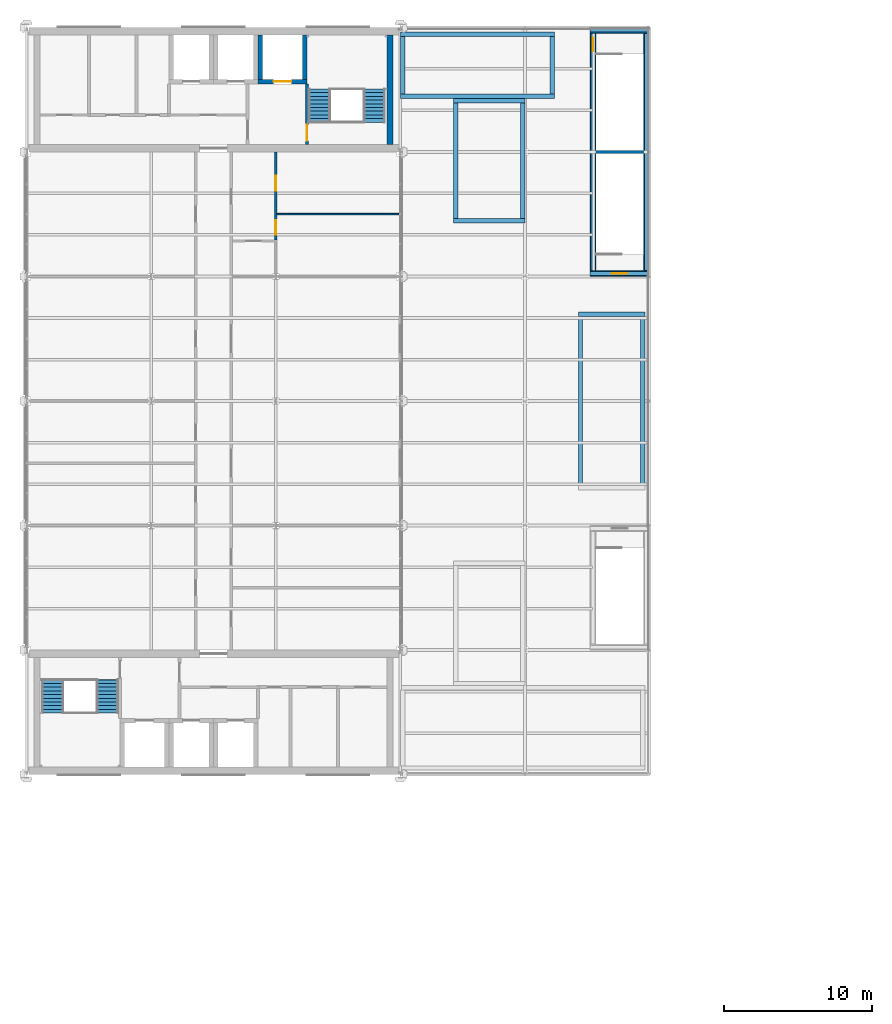
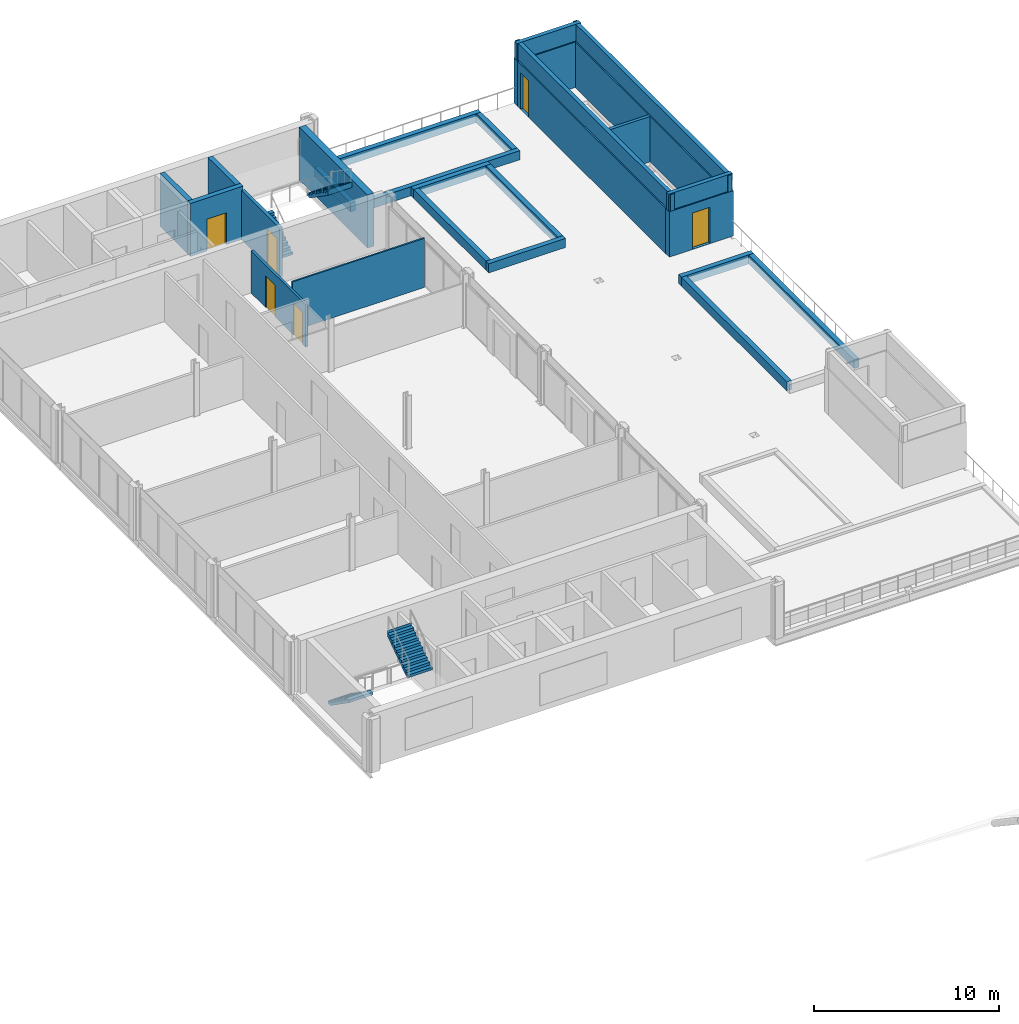
# One storey, part 26 of 32: 27 walls, 6 doors, 4 stair flights, 6 openings, 2 elements without a shape of their own.
"""IFC4 building model written with IfcOpenShell, lengths in metres."""

from ifc_helpers import new_model, si_unit, direction, frame, frame_2d, origin, place, context, subcontext, project, spatial, polyline, rectangle, outline, extrude, material, layer, layer_set, type_object, element, fill, aggregate, save


model = new_model("IFC4")

# Units and contexts
model_context = context("Model", 3, precision=1e-05, world=origin(), true_north=direction((0.0, 1.0)))
body_context = subcontext(model_context, "Body", "Model", "MODEL_VIEW")
ifc_project = project(units=[si_unit("LENGTHUNIT", "METRE"), si_unit("AREAUNIT", "SQUARE_METRE"), si_unit("VOLUMEUNIT", "CUBIC_METRE"), si_unit("PLANEANGLEUNIT", "RADIAN"), si_unit("MASSUNIT", "GRAM", prefix="KILO")], contexts=[model_context])

# Site, building, storey
site_placement = place(None, origin())
site = spatial("IfcSite", under=ifc_project, at=site_placement, CompositionType="ELEMENT")
building_placement = place(site_placement, origin())
building = spatial("IfcBuilding", under=site, at=building_placement, Name="Catenary Quay Ferry Terminal", CompositionType="ELEMENT")
storey_placement = place(building_placement, frame((0.0, 0.0, 17.10009765625)))
storey = spatial("IfcBuildingStorey", under=building, at=storey_placement, Name="L03", CompositionType="ELEMENT", Elevation=17.10009765625)

# Walls
ifc_material_1 = material(Name="Concrete C50/60", Category="concrete")
ifc_layer_1 = layer(ifc_material_1, 0.39990234375)
ifc_layer_set_1 = layer_set([ifc_layer_1], Name="Core wall 400")
wall_type_1 = type_object("IfcWallType", Name="Core wall 400", PredefinedType="SHEAR", material=ifc_layer_set_1)
wall_1_placement = place(storey_placement, frame((49.699951171875, 202.10009765625, 0.0), z_axis=(0.0, 0.0, 1.0), x_axis=(0.0, 1.0, 0.0)))
element("IfcWall", 1, at=wall_1_placement, inside=storey, type_object=wall_type_1, Name="Core wall N4", PredefinedType="SHEAR", context=body_context, shape_type="SweptSolid", body=[
    extrude(rectangle(XDim=7.39990234375, YDim=0.39990234375, at=frame_2d((3.699951171875, 0.0))), origin(), (0.0, 0.0, 1.0), 3.5),
])
ifc_material_2 = material(Name="Masonry and insulation", Category="masonry")
ifc_layer_2 = layer(ifc_material_2, 0.300048828125)
ifc_layer_set_2 = layer_set([ifc_layer_2], Name="EW15")
wall_type_2 = type_object("IfcWallType", Name="EW15", PredefinedType="SOLIDWALL", material=ifc_layer_set_2)
for number, where, z_axis, x_axis, name in (
    (2, (50.39990234375, 205.35009765625, 0.0), (0.0, 0.0, 1.0), (1.0, 0.0, 0.0), "Planter terrace wall WL144"),
    (3, (50.39990234375, 209.550048828125, 0.0), (0.0, 0.0, 1.0), (1.0, 0.0, 0.0), "Planter terrace wall WL145"),
):
    element("IfcWall", number, at=place(storey_placement, frame(where, z_axis=z_axis, x_axis=x_axis)), inside=storey, type_object=wall_type_2, Name=name, PredefinedType="SOLIDWALL", context=body_context, shape_type="SweptSolid", body=[
        extrude(rectangle(XDim=10.400146484375, YDim=0.300048828125, at=frame_2d((5.2001953125, 0.0))), origin(), (0.0, 0.0, 1.0), 0.599853515625),
    ])
for number, where, z_axis, x_axis, name in (
    (4, (50.550048828125, 205.5, 0.0), (0.0, 0.0, 1.0), (0.0, 1.0, 0.0), "Planter terrace wall WL146"),
    (5, (60.64990234375, 205.5, 0.0), (0.0, 0.0, 1.0), (0.0, 1.0, 0.0), "Planter terrace wall WL147"),
):
    element("IfcWall", number, at=place(storey_placement, frame(where, z_axis=z_axis, x_axis=x_axis)), inside=storey, type_object=wall_type_2, Name=name, PredefinedType="SOLIDWALL", context=body_context, shape_type="SweptSolid", body=[
        extrude(rectangle(XDim=3.89990234375, YDim=0.300048828125, at=frame_2d((1.949951171875, 0.0))), origin(), (0.0, 0.0, 1.0), 0.599853515625),
    ])
for number, where, z_axis, x_axis, name in (
    (6, (54.0, 196.949951171875, 0.0), (0.0, 0.0, 1.0), (1.0, 0.0, 0.0), "Planter terrace wall WL148"),
    (7, (54.0, 205.050048828125, 0.0), (0.0, 0.0, 1.0), (1.0, 0.0, 0.0), "Planter terrace wall WL149"),
):
    element("IfcWall", number, at=place(storey_placement, frame(where, z_axis=z_axis, x_axis=x_axis)), inside=storey, type_object=wall_type_2, Name=name, PredefinedType="SOLIDWALL", context=body_context, shape_type="SweptSolid", body=[
        extrude(rectangle(XDim=4.800048828125, YDim=0.300048828125, at=frame_2d((2.39990234375, 0.0))), origin(), (0.0, 0.0, 1.0), 0.599853515625),
    ])
for number, where, z_axis, x_axis, name in (
    (8, (54.14990234375, 197.10009765625, 0.0), (0.0, 0.0, 1.0), (0.0, 1.0, 0.0), "Planter terrace wall WL150"),
    (9, (58.64990234375, 197.10009765625, 0.0), (0.0, 0.0, 1.0), (0.0, 1.0, 0.0), "Planter terrace wall WL151"),
):
    element("IfcWall", number, at=place(storey_placement, frame(where, z_axis=z_axis, x_axis=x_axis)), inside=storey, type_object=wall_type_2, Name=name, PredefinedType="SOLIDWALL", context=body_context, shape_type="SweptSolid", body=[
        extrude(rectangle(XDim=7.7998046875, YDim=0.300048828125, at=frame_2d((3.89990234375, 0.0))), origin(), (0.0, 0.0, 1.0), 0.599853515625),
    ])
wall_2_placement = place(storey_placement, frame((62.39990234375, 190.64990234375, 0.0), z_axis=(0.0, 0.0, 1.0), x_axis=(1.0, 0.0, 0.0)))
element("IfcWall", 10, at=wall_2_placement, inside=storey, type_object=wall_type_2, Name="Planter terrace wall WL153", PredefinedType="SOLIDWALL", context=body_context, shape_type="SweptSolid", body=[
    extrude(rectangle(XDim=4.5, YDim=0.300048828125, at=frame_2d((2.25, 0.0))), origin(), (0.0, 0.0, 1.0), 0.599853515625),
])
for number, where, z_axis, x_axis, name in (
    (11, (62.550048828125, 179.10009765625, 0.0), (0.0, 0.0, 1.0), (0.0, 1.0, 0.0), "Planter terrace wall WL154"),
    (12, (66.75, 179.10009765625, 0.0), (0.0, 0.0, 1.0), (0.0, 1.0, 0.0), "Planter terrace wall WL155"),
):
    element("IfcWall", number, at=place(storey_placement, frame(where, z_axis=z_axis, x_axis=x_axis)), inside=storey, type_object=wall_type_2, Name=name, PredefinedType="SOLIDWALL", context=body_context, shape_type="SweptSolid", body=[
        extrude(rectangle(XDim=11.39990234375, YDim=0.300048828125, at=frame_2d((5.699951171875, 0.0))), origin(), (0.0, 0.0, 1.0), 0.599853515625),
    ])
ifc_material_3 = material(Name="Masonry and insulation", Category="masonry")
ifc_layer_3 = layer(ifc_material_3, 0.39990234375)
ifc_layer_set_3 = layer_set([ifc_layer_3], Name="EW2")
wall_type_3 = type_object("IfcWallType", Name="EW2", PredefinedType="SOLIDWALL", material=ifc_layer_set_3)
wall_3_placement = place(storey_placement, frame((63.199951171875, 209.800048828125, 0.0), z_axis=(0.0, 0.0, 1.0), x_axis=(1.0, 0.0, 0.0)))
element("IfcWall", 13, at=wall_3_placement, inside=storey, type_object=wall_type_3, Name="P40 wall WL195", PredefinedType="SOLIDWALL", context=body_context, shape_type="SweptSolid", body=[
    extrude(rectangle(XDim=4.0, YDim=0.39990234375, at=frame_2d((2.0, 0.0))), origin(), (0.0, 0.0, 1.0), 3.0),
])

# Wall, opening, door
wall_4_placement = place(storey_placement, frame((63.199951171875, 193.39990234375, 0.0), z_axis=(0.0, 0.0, 1.0), x_axis=(1.0, 0.0, 0.0)))
wall_4 = element("IfcWall", 14, at=wall_4_placement, inside=storey, type_object=wall_type_3, Name="P41 wall WL196", PredefinedType="SOLIDWALL", context=body_context, shape_type="SweptSolid", body=[
    extrude(rectangle(XDim=4.0, YDim=0.39990234375, at=frame_2d((2.0, 0.0))), origin(), (0.0, 0.0, 1.0), 3.0),
])
opening_1_placement = place(wall_4_placement, frame((1.449951171875, 0.0, 0.011962890625)))
opening_1 = element("IfcOpeningElement", 15, at=opening_1_placement, cuts=wall_4, Name="Opening D32", PredefinedType="OPENING", context=body_context, shape_type="SweptSolid", body=[
    extrude(rectangle(XDim=1.10009765625, YDim=2.39990234375, at=frame_2d((0.550048828125, 1.199951171875))), frame((0.0, 0.2099609375, 0.0), z_axis=(0.0, -1.0, 0.0), x_axis=(1.0, 0.0, 0.0)), (0.0, 0.0, 1.0), 0.419921875),
])
ifc_material_4 = material(Name="Steel", Category="steel")
door_type_1 = type_object("IfcDoorType", Name="DXE1100", OperationType="SINGLE_SWING_LEFT", PredefinedType="DOOR", material=ifc_material_4)
door_1_placement = place(opening_1_placement, frame((1.10009765625, 0.0, 0.0), z_axis=(0.0, 0.0, 1.0), x_axis=(-1.0, 0.0, 0.0)))
door_1 = element("IfcDoor", 16, at=door_1_placement, inside=storey, type_object=door_type_1, Name="HS4 door D32", OperationType="SINGLE_SWING_RIGHT", OverallHeight=2.39990234375, OverallWidth=1.10009765625, PredefinedType="DOOR", context=body_context, shape_type="SweptSolid", body=[
    extrude(rectangle(XDim=1.10009765625, YDim=2.39990234375, at=frame_2d((0.550048828125, 1.199951171875))), frame((0.0, 0.02490234375, 0.0), z_axis=(0.0, -1.0, 0.0), x_axis=(1.0, 0.0, 0.0)), (0.0, 0.0, 1.0), 0.050048828125),
])
fill(opening_1, door_1)

wall_5_placement = place(storey_placement, frame((63.39990234375, 193.60009765625, 0.0), z_axis=(0.0, 0.0, 1.0), x_axis=(0.0, 1.0, 0.0)))
wall_5 = element("IfcWall", 17, at=wall_5_placement, inside=storey, type_object=wall_type_3, Name="P44 wall WL199", PredefinedType="SOLIDWALL", context=body_context, shape_type="SweptSolid", body=[
    extrude(rectangle(XDim=16.0, YDim=0.39990234375, at=frame_2d((8.0, 0.0))), origin(), (0.0, 0.0, 1.0), 3.0),
])
opening_2_placement = place(wall_5_placement, frame((14.800048828125, 0.0, 0.011962890625)))
opening_2 = element("IfcOpeningElement", 18, at=opening_2_placement, cuts=wall_5, Name="Opening D33", PredefinedType="OPENING", context=body_context, shape_type="SweptSolid", body=[
    extrude(rectangle(XDim=0.89990234375, YDim=2.39990234375, at=frame_2d((0.449951171875, 1.199951171875))), frame((0.0, 0.2099609375, 0.0), z_axis=(0.0, -1.0, 0.0), x_axis=(1.0, 0.0, 0.0)), (0.0, 0.0, 1.0), 0.419921875),
])
ifc_material_5 = material(Name="Steel", Category="steel")
door_type_2 = type_object("IfcDoorType", Name="DXE900", OperationType="SINGLE_SWING_LEFT", PredefinedType="DOOR", material=ifc_material_5)
door_2_placement = place(opening_2_placement, origin())
door_2 = element("IfcDoor", 19, at=door_2_placement, inside=storey, type_object=door_type_2, Name="HS5 door D33", OperationType="SINGLE_SWING_LEFT", OverallHeight=2.39990234375, OverallWidth=0.89990234375, PredefinedType="DOOR", context=body_context, shape_type="SweptSolid", body=[
    extrude(rectangle(XDim=0.89990234375, YDim=2.39990234375, at=frame_2d((0.449951171875, 1.199951171875))), frame((0.0, 0.02490234375, 0.0), z_axis=(0.0, -1.0, 0.0), x_axis=(1.0, 0.0, 0.0)), (0.0, 0.0, 1.0), 0.050048828125),
])
fill(opening_2, door_2)

# Walls
wall_6_placement = place(storey_placement, frame((67.0, 193.60009765625, 0.0), z_axis=(0.0, 0.0, 1.0), x_axis=(0.0, 1.0, 0.0)))
element("IfcWall", 20, at=wall_6_placement, inside=storey, type_object=wall_type_3, Name="P45 wall WL200", PredefinedType="SOLIDWALL", context=body_context, shape_type="SweptSolid", body=[
    extrude(rectangle(XDim=16.0, YDim=0.39990234375, at=frame_2d((8.0, 0.0))), origin(), (0.0, 0.0, 1.0), 3.0),
])
ifc_material_6 = material(Name="Masonry and insulation", Category="masonry")
ifc_layer_4 = layer(ifc_material_6, 0.25)
ifc_layer_set_4 = layer_set([ifc_layer_4], Name="EW5")
wall_type_4 = type_object("IfcWallType", Name="EW5", PredefinedType="PARAPET", material=ifc_layer_set_4)
for number, where, z_axis, x_axis, name in (
    (21, (63.199951171875, 209.800048828125, 3.0), (0.0, 0.0, 1.0), (1.0, 0.0, 0.0), "Parapet wall WL218"),
    (22, (63.199951171875, 193.39990234375, 3.0), (0.0, 0.0, 1.0), (1.0, 0.0, 0.0), "Parapet wall WL219"),
):
    element("IfcWall", number, at=place(storey_placement, frame(where, z_axis=z_axis, x_axis=x_axis)), inside=storey, type_object=wall_type_4, Name=name, PredefinedType="PARAPET", context=body_context, shape_type="SweptSolid", body=[
        extrude(rectangle(XDim=4.0, YDim=0.25, at=frame_2d((2.0, 0.0))), origin(), (0.0, 0.0, 1.0), 1.099853515625),
    ])
for number, where, z_axis, x_axis, name in (
    (23, (67.0, 193.199951171875, 3.0), (0.0, 0.0, 1.0), (0.0, 1.0, 0.0), "Parapet wall WL222"),
    (24, (63.39990234375, 193.199951171875, 3.0), (0.0, 0.0, 1.0), (0.0, 1.0, 0.0), "Parapet wall WL223"),
):
    element("IfcWall", number, at=place(storey_placement, frame(where, z_axis=z_axis, x_axis=x_axis)), inside=storey, type_object=wall_type_4, Name=name, PredefinedType="PARAPET", context=body_context, shape_type="SweptSolid", body=[
        extrude(rectangle(XDim=16.800048828125, YDim=0.25, at=frame_2d((8.39990234375, 0.0))), origin(), (0.0, 0.0, 1.0), 1.099853515625),
    ])
ifc_material_7 = material(Name="Concrete C35/45", Category="concrete")
ifc_layer_5 = layer(ifc_material_7, 0.199951171875)
ifc_layer_set_5 = layer_set([ifc_layer_5], Name="IP12")
wall_type_5 = type_object("IfcWallType", Name="IP12", PredefinedType="PARTITIONING", material=ifc_layer_set_5)
wall_7_placement = place(storey_placement, frame((63.60009765625, 201.60009765625, 0.0), z_axis=(0.0, 0.0, 1.0), x_axis=(1.0, 0.0, 0.0)))
element("IfcWall", 25, at=wall_7_placement, inside=storey, type_object=wall_type_5, Name="Stair wall L03 18", PredefinedType="PARTITIONING", context=body_context, shape_type="SweptSolid", body=[
    extrude(rectangle(XDim=3.199951171875, YDim=0.199951171875, at=frame_2d((1.60009765625, 0.0))), origin(), (0.0, 0.0, 1.0), 3.0),
])

# Wall, openings, doors
ifc_material_8 = material(Name="Plasterboard on steel studs", Category="steel")
ifc_layer_6 = layer(ifc_material_8, 0.14990234375)
ifc_layer_set_6 = layer_set([ifc_layer_6], Name="IP3")
wall_type_6 = type_object("IfcWallType", Name="IP3", PredefinedType="PARTITIONING", material=ifc_layer_set_6)
wall_8_placement = place(storey_placement, frame((42.0, 195.675048828125, 0.0), z_axis=(0.0, 0.0, 1.0), x_axis=(0.0, 1.0, 0.0)))
wall_8 = element("IfcWall", 26, at=wall_8_placement, inside=storey, type_object=wall_type_6, Name="Partition L03 32", PredefinedType="PARTITIONING", context=body_context, shape_type="SweptSolid", body=[
    extrude(rectangle(XDim=5.925048828125, YDim=0.14990234375, at=frame_2d((2.96240234375, 0.0))), origin(), (0.0, 0.0, 1.0), 2.796142578125),
])
opening_3_placement = place(wall_8_placement, frame((0.324951171875, 0.0, 0.0)))
opening_3 = element("IfcOpeningElement", 27, at=opening_3_placement, cuts=wall_8, Name="Opening D214", PredefinedType="OPENING", context=body_context, shape_type="SweptSolid", body=[
    extrude(rectangle(XDim=1.0, YDim=2.10009765625, at=frame_2d((0.5, 1.050048828125))), frame((0.0, 0.0849609375, 0.0), z_axis=(0.0, -1.0, 0.0), x_axis=(1.0, 0.0, 0.0)), (0.0, 0.0, 1.0), 0.169921875),
])
opening_4_placement = place(wall_8_placement, frame((3.324951171875, 0.0, 0.0)))
opening_4 = element("IfcOpeningElement", 28, at=opening_4_placement, cuts=wall_8, Name="Opening D215", PredefinedType="OPENING", context=body_context, shape_type="SweptSolid", body=[
    extrude(rectangle(XDim=1.0, YDim=2.10009765625, at=frame_2d((0.5, 1.050048828125))), frame((0.0, 0.0849609375, 0.0), z_axis=(0.0, -1.0, 0.0), x_axis=(1.0, 0.0, 0.0)), (0.0, 0.0, 1.0), 0.169921875),
])
ifc_material_9 = material(Name="Timber", Category="wood")
door_type_3 = type_object("IfcDoorType", Name="DI8", OperationType="SINGLE_SWING_LEFT", PredefinedType="DOOR", material=ifc_material_9)
door_3_placement = place(opening_3_placement, frame((1.0, 0.0, 0.0), z_axis=(0.0, 0.0, 1.0), x_axis=(-1.0, 0.0, 0.0)))
door_3 = element("IfcDoor", 29, at=door_3_placement, inside=storey, type_object=door_type_3, Name="Staff Women WC L03 to Staff WC Lobby L03", OperationType="SINGLE_SWING_RIGHT", OverallHeight=2.10009765625, OverallWidth=1.0, PredefinedType="DOOR", context=body_context, shape_type="SweptSolid", body=[
    extrude(rectangle(XDim=1.0, YDim=2.10009765625, at=frame_2d((0.5, 1.050048828125))), frame((0.0, 0.02490234375, 0.0), z_axis=(0.0, -1.0, 0.0), x_axis=(1.0, 0.0, 0.0)), (0.0, 0.0, 1.0), 0.050048828125),
])
fill(opening_3, door_3)
door_4_placement = place(opening_4_placement, frame((1.0, 0.0, 0.0), z_axis=(0.0, 0.0, 1.0), x_axis=(-1.0, 0.0, 0.0)))
door_4 = element("IfcDoor", 30, at=door_4_placement, inside=storey, type_object=door_type_3, Name="Staff Men WC L03 to Staff WC Lobby L03", OperationType="SINGLE_SWING_RIGHT", OverallHeight=2.10009765625, OverallWidth=1.0, PredefinedType="DOOR", context=body_context, shape_type="SweptSolid", body=[
    extrude(rectangle(XDim=1.0, YDim=2.10009765625, at=frame_2d((0.5, 1.050048828125))), frame((0.0, 0.02490234375, 0.0), z_axis=(0.0, -1.0, 0.0), x_axis=(1.0, 0.0, 0.0)), (0.0, 0.0, 1.0), 0.050048828125),
])
fill(opening_4, door_4)

# Wall, opening, door
ifc_material_10 = material(Name="Blockwork and plaster", Category="masonry")
ifc_layer_7 = layer(ifc_material_10, 0.199951171875)
ifc_layer_set_7 = layer_set([ifc_layer_7], Name="IP4")
wall_type_7 = type_object("IfcWallType", Name="IP4", PredefinedType="PARTITIONING", material=ifc_layer_set_7)
wall_9_placement = place(storey_placement, frame((44.10009765625, 202.10009765625, 0.0), z_axis=(0.0, 0.0, 1.0), x_axis=(0.0, 1.0, 0.0)))
wall_9 = element("IfcWall", 31, at=wall_9_placement, inside=storey, type_object=wall_type_7, Name="Partition L03 34", PredefinedType="PARTITIONING", context=body_context, shape_type="SweptSolid", body=[
    extrude(rectangle(XDim=4.099853515625, YDim=0.199951171875, at=frame_2d((2.0498046875, 0.0))), origin(), (0.0, 0.0, 1.0), 3.25),
])
opening_5_placement = place(wall_9_placement, frame((0.25, 0.0, 0.0)))
opening_5 = element("IfcOpeningElement", 32, at=opening_5_placement, cuts=wall_9, Name="Opening D201", PredefinedType="OPENING", context=body_context, shape_type="SweptSolid", body=[
    extrude(rectangle(XDim=1.10009765625, YDim=2.39990234375, at=frame_2d((0.550048828125, 1.199951171875))), frame((0.0, 0.10986328125, 0.0), z_axis=(0.0, -1.0, 0.0), x_axis=(1.0, 0.0, 0.0)), (0.0, 0.0, 1.0), 0.219970703125),
])
ifc_material_11 = material(Name="Steel", Category="steel")
door_type_4 = type_object("IfcDoorType", Name="DI4", OperationType="SINGLE_SWING_LEFT", PredefinedType="DOOR", material=ifc_material_11)
door_5_placement = place(opening_5_placement, frame((1.10009765625, 0.0, 0.0), z_axis=(0.0, 0.0, 1.0), x_axis=(-1.0, 0.0, 0.0)))
door_5 = element("IfcDoor", 33, at=door_5_placement, inside=storey, type_object=door_type_4, Name="Stair HS1 to Fire-fighting Lobby N", OperationType="SINGLE_SWING_RIGHT", OverallHeight=2.39990234375, OverallWidth=1.10009765625, PredefinedType="DOOR", context=body_context, shape_type="SweptSolid", body=[
    extrude(rectangle(XDim=1.10009765625, YDim=2.39990234375, at=frame_2d((0.550048828125, 1.199951171875))), frame((0.0, 0.02490234375, 0.0), z_axis=(0.0, -1.0, 0.0), x_axis=(1.0, 0.0, 0.0)), (0.0, 0.0, 1.0), 0.050048828125),
])
fill(opening_5, door_5)

# Wall
ifc_material_12 = material(Name="Plasterboard on steel studs", Category="steel")
ifc_layer_8 = layer(ifc_material_12, 0.10009765625)
ifc_layer_set_8 = layer_set([ifc_layer_8], Name="IP8")
wall_type_8 = type_object("IfcWallType", Name="IP8", PredefinedType="PARTITIONING", material=ifc_layer_set_8)
wall_10_placement = place(storey_placement, frame((42.074951171875, 197.39990234375, 0.0), z_axis=(0.0, 0.0, 1.0), x_axis=(1.0, 0.0, 0.0)))
element("IfcWall", 34, at=wall_10_placement, inside=storey, type_object=wall_type_8, Name="Partition L03 17", PredefinedType="PARTITIONING", context=body_context, shape_type="SweptSolid", body=[
    extrude(rectangle(XDim=8.25, YDim=0.10009765625, at=frame_2d((4.125, 0.0))), origin(), (0.0, 0.0, 1.0), 3.25),
])

# Wall, opening, door
ifc_material_13 = material(Name="Concrete C50/60", Category="concrete")
ifc_layer_9 = layer(ifc_material_13, 0.300048828125)
ifc_layer_set_9 = layer_set([ifc_layer_9], Name="Shaft wall 300")
wall_type_9 = type_object("IfcWallType", Name="Shaft wall 300", PredefinedType="SHEAR", material=ifc_layer_set_9)
wall_11_placement = place(storey_placement, frame((40.800048828125, 206.35009765625, 0.0), z_axis=(0.0, 0.0, 1.0), x_axis=(1.0, 0.0, 0.0)))
wall_11 = element("IfcWall", 35, at=wall_11_placement, inside=storey, type_object=wall_type_9, Name="Shaft wall FL2 S", PredefinedType="SHEAR", context=body_context, shape_type="SweptSolid", body=[
    extrude(rectangle(XDim=3.300048828125, YDim=0.300048828125, at=frame_2d((1.64990234375, 0.0))), origin(), (0.0, 0.0, 1.0), 3.5),
])
opening_6_placement = place(wall_11_placement, frame((1.050048828125, 0.0, 0.0)))
opening_6 = element("IfcOpeningElement", 36, at=opening_6_placement, cuts=wall_11, Name="Opening LD13", PredefinedType="OPENING", context=body_context, shape_type="SweptSolid", body=[
    extrude(rectangle(XDim=1.199951171875, YDim=2.10009765625, at=frame_2d((0.60009765625, 1.050048828125))), frame((0.0, 0.159912109375, 0.0), z_axis=(0.0, -1.0, 0.0), x_axis=(1.0, 0.0, 0.0)), (0.0, 0.0, 1.0), 0.320068359375),
])
ifc_material_14 = material(Name="Stainless steel", Category="steel")
door_type_5 = type_object("IfcDoorType", Name="DL2", OperationType="SLIDING_TO_LEFT", PredefinedType="DOOR", material=ifc_material_14)
door_6_placement = place(opening_6_placement, origin())
door_6 = element("IfcDoor", 37, at=door_6_placement, inside=storey, type_object=door_type_5, Name="Lift FL2 landing door L03", OperationType="SLIDING_TO_LEFT", OverallHeight=2.10009765625, OverallWidth=1.199951171875, PredefinedType="DOOR", context=body_context, shape_type="SweptSolid", body=[
    extrude(rectangle(XDim=1.199951171875, YDim=2.10009765625, at=frame_2d((0.60009765625, 1.050048828125))), frame((0.0, 0.02490234375, 0.0), z_axis=(0.0, -1.0, 0.0), x_axis=(1.0, 0.0, 0.0)), (0.0, 0.0, 1.0), 0.050048828125),
])
fill(opening_6, door_6)

# Walls
for number, where, z_axis, x_axis, name in (
    (38, (43.949951171875, 206.5, 0.0), (0.0, 0.0, 1.0), (0.0, 1.0, 0.0), "Shaft wall FL2 E"),
    (39, (40.949951171875, 206.5, 0.0), (0.0, 0.0, 1.0), (0.0, 1.0, 0.0), "Shaft wall FL2 W"),
):
    element("IfcWall", number, at=place(storey_placement, frame(where, z_axis=z_axis, x_axis=x_axis)), inside=storey, type_object=wall_type_9, Name=name, PredefinedType="SHEAR", context=body_context, shape_type="SweptSolid", body=[
        extrude(rectangle(XDim=3.0, YDim=0.300048828125, at=frame_2d((1.5, 0.0))), origin(), (0.0, 0.0, 1.0), 3.5),
    ])

# Stair, stair flights
ifc_material_15 = material(Name="Concrete C35/45", Category="concrete")
stair_type = type_object("IfcStairType", Name="STX1500", PredefinedType="HALF_TURN_STAIR", material=ifc_material_15)
stair_1_placement = place(storey_placement, origin())
stair_1 = element("IfcStair", 40, at=stair_1_placement, inside=storey, type_object=stair_type, Name="Stair HS1 L03 to L04", PredefinedType="HALF_TURN_STAIR")
ifc_material_16 = material(Name="Concrete C35/45", Category="concrete")
stair_flight_type = type_object("IfcStairFlightType", Name="SFX1500", PredefinedType="STRAIGHT", material=ifc_material_16)
stair_flight_1_placement = place(storey_placement, frame((44.949951171875, 203.60009765625, 0.0), z_axis=(0.0, 0.0, 1.0), x_axis=(0.0, 1.0, 0.0)))
stair_flight_1 = element("IfcStairFlight", 41, at=stair_flight_1_placement, type_object=stair_flight_type, Name="HS1-L03 flight 1", NumberOfRisers=10, NumberOfTreads=9, PredefinedType="STRAIGHT", RiserHeight=0.175, TreadLength=0.25, context=body_context, shape_type="SweptSolid", body=[
    extrude(outline(polyline([(-0.010009765625, 0.0), (-0.010009765625, 0.02490234375), (-0.010009765625, 0.050048828125), (-0.010009765625, 0.074951171875), (-0.010009765625, 0.10009765625), (-0.010009765625, 0.125), (-0.010009765625, 0.14990234375), (-0.010009765625, 0.175048828125), (0.0, 0.175048828125), (0.25, 0.175048828125), (0.25, 0.35009765625), (0.5, 0.35009765625), (0.5, 0.52490234375), (0.75, 0.52490234375), (0.75, 0.699951171875), (1.0, 0.699951171875), (1.0, 0.875), (1.25, 0.875), (1.25, 1.050048828125), (1.5, 1.050048828125), (1.5, 1.22509765625), (1.75, 1.22509765625), (1.75, 1.39990234375), (2.0, 1.39990234375), (2.0, 1.574951171875), (2.25, 1.574951171875), (2.25, 1.75), (2.25, 1.698974609375), (2.25, 1.647705078125), (2.25, 1.5966796875), (2.25, 1.54541015625), (2.25, 1.494384765625), (2.25, 1.443115234375), (2.25, 1.39208984375), (0.261474609375, 0.0), (-0.010009765625, 0.0)])), frame((0.0, 0.75, 0.0), z_axis=(0.0, -1.0, 0.0), x_axis=(1.0, 0.0, 0.0)), (0.0, 0.0, 1.0), 1.5),
])
stair_flight_2_placement = place(storey_placement, frame((48.64990234375, 205.85009765625, 1.75), z_axis=(0.0, 0.0, 1.0), x_axis=(0.0, -1.0, 0.0)))
stair_flight_2 = element("IfcStairFlight", 42, at=stair_flight_2_placement, type_object=stair_flight_type, Name="HS1-L03 flight 2", NumberOfRisers=10, NumberOfTreads=9, PredefinedType="STRAIGHT", RiserHeight=0.175, TreadLength=0.25, context=body_context, shape_type="SweptSolid", body=[
    extrude(outline(polyline([(0.0, 0.0), (0.0, 0.02490234375), (0.0, 0.050048828125), (0.0, 0.074951171875), (0.0, 0.10009765625), (0.0, 0.125), (0.0, 0.14990234375), (0.0, 0.175048828125), (0.25, 0.175048828125), (0.25, 0.35009765625), (0.5, 0.35009765625), (0.5, 0.52490234375), (0.75, 0.52490234375), (0.75, 0.699951171875), (1.0, 0.699951171875), (1.0, 0.875), (1.25, 0.875), (1.25, 1.050048828125), (1.5, 1.050048828125), (1.5, 1.22509765625), (1.75, 1.22509765625), (1.75, 1.39990234375), (2.0, 1.39990234375), (2.0, 1.574951171875), (2.25, 1.574951171875), (2.25, 1.75), (2.260009765625, 1.75), (2.260009765625, 1.698974609375), (2.260009765625, 1.647705078125), (2.260009765625, 1.5966796875), (2.260009765625, 1.54541015625), (2.260009765625, 1.494384765625), (2.260009765625, 1.443115234375), (2.260009765625, 1.39208984375), (0.261474609375, 0.0), (0.0, 0.0)])), frame((0.0, 0.75, 0.0), z_axis=(0.0, -1.0, 0.0), x_axis=(1.0, 0.0, 0.0)), (0.0, 0.0, 1.0), 1.5),
])
aggregate(stair_1, [stair_flight_1, stair_flight_2])

stair_2_placement = place(storey_placement, origin())
stair_2 = element("IfcStair", 43, at=stair_2_placement, inside=storey, type_object=stair_type, Name="Stair HS2 L03 to L04", PredefinedType="HALF_TURN_STAIR")
stair_flight_3_placement = place(storey_placement, frame((26.949951171875, 166.0, 0.0), z_axis=(0.0, 0.0, 1.0), x_axis=(0.0, -1.0, 0.0)))
stair_flight_3 = element("IfcStairFlight", 44, at=stair_flight_3_placement, type_object=stair_flight_type, Name="HS2-L03 flight 1", NumberOfRisers=10, NumberOfTreads=9, PredefinedType="STRAIGHT", RiserHeight=0.175, TreadLength=0.25, context=body_context, shape_type="SweptSolid", body=[
    extrude(outline(polyline([(-0.010009765625, 0.0), (-0.010009765625, 0.02490234375), (-0.010009765625, 0.050048828125), (-0.010009765625, 0.074951171875), (-0.010009765625, 0.10009765625), (-0.010009765625, 0.125), (-0.010009765625, 0.14990234375), (-0.010009765625, 0.175048828125), (0.0, 0.175048828125), (0.25, 0.175048828125), (0.25, 0.35009765625), (0.5, 0.35009765625), (0.5, 0.52490234375), (0.75, 0.52490234375), (0.75, 0.699951171875), (1.0, 0.699951171875), (1.0, 0.875), (1.25, 0.875), (1.25, 1.050048828125), (1.5, 1.050048828125), (1.5, 1.22509765625), (1.75, 1.22509765625), (1.75, 1.39990234375), (2.0, 1.39990234375), (2.0, 1.574951171875), (2.25, 1.574951171875), (2.25, 1.75), (2.25, 1.698974609375), (2.25, 1.647705078125), (2.25, 1.5966796875), (2.25, 1.54541015625), (2.25, 1.494384765625), (2.25, 1.443115234375), (2.25, 1.39208984375), (0.261474609375, 0.0), (-0.010009765625, 0.0)])), frame((0.0, 0.75, 0.0), z_axis=(0.0, -1.0, 0.0), x_axis=(1.0, 0.0, 0.0)), (0.0, 0.0, 1.0), 1.5),
])
stair_flight_4_placement = place(storey_placement, frame((30.64990234375, 163.75, 1.75), z_axis=(0.0, 0.0, 1.0), x_axis=(0.0, 1.0, 0.0)))
stair_flight_4 = element("IfcStairFlight", 45, at=stair_flight_4_placement, type_object=stair_flight_type, Name="HS2-L03 flight 2", NumberOfRisers=10, NumberOfTreads=9, PredefinedType="STRAIGHT", RiserHeight=0.175, TreadLength=0.25, context=body_context, shape_type="SweptSolid", body=[
    extrude(outline(polyline([(0.0, 0.0), (0.0, 0.02490234375), (0.0, 0.050048828125), (0.0, 0.074951171875), (0.0, 0.10009765625), (0.0, 0.125), (0.0, 0.14990234375), (0.0, 0.175048828125), (0.25, 0.175048828125), (0.25, 0.35009765625), (0.5, 0.35009765625), (0.5, 0.52490234375), (0.75, 0.52490234375), (0.75, 0.699951171875), (1.0, 0.699951171875), (1.0, 0.875), (1.25, 0.875), (1.25, 1.050048828125), (1.5, 1.050048828125), (1.5, 1.22509765625), (1.75, 1.22509765625), (1.75, 1.39990234375), (2.0, 1.39990234375), (2.0, 1.574951171875), (2.25, 1.574951171875), (2.25, 1.75), (2.260009765625, 1.75), (2.260009765625, 1.698974609375), (2.260009765625, 1.647705078125), (2.260009765625, 1.5966796875), (2.260009765625, 1.54541015625), (2.260009765625, 1.494384765625), (2.260009765625, 1.443115234375), (2.260009765625, 1.39208984375), (0.261474609375, 0.0), (0.0, 0.0)])), frame((0.0, 0.75, 0.0), z_axis=(0.0, -1.0, 0.0), x_axis=(1.0, 0.0, 0.0)), (0.0, 0.0, 1.0), 1.5),
])
aggregate(stair_2, [stair_flight_3, stair_flight_4])

save(model, "model.ifc")
